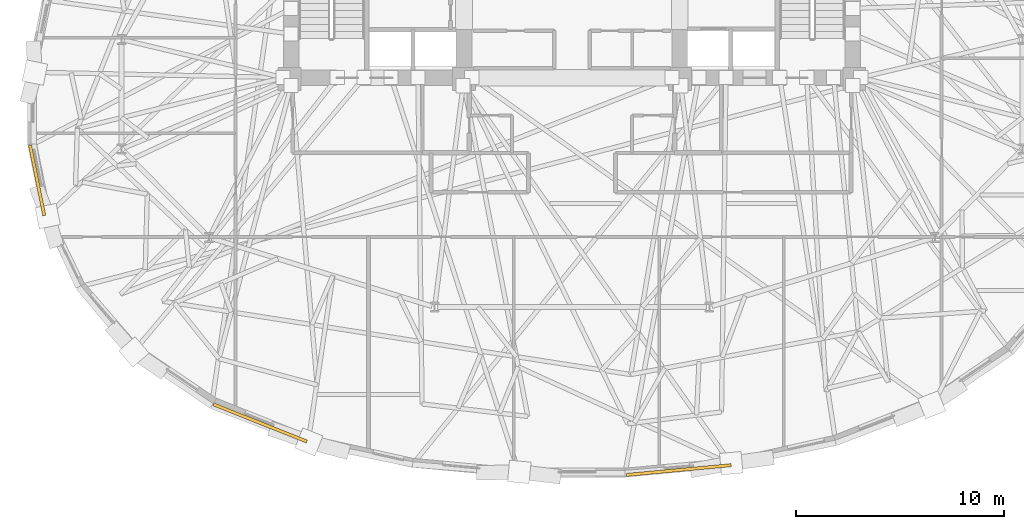
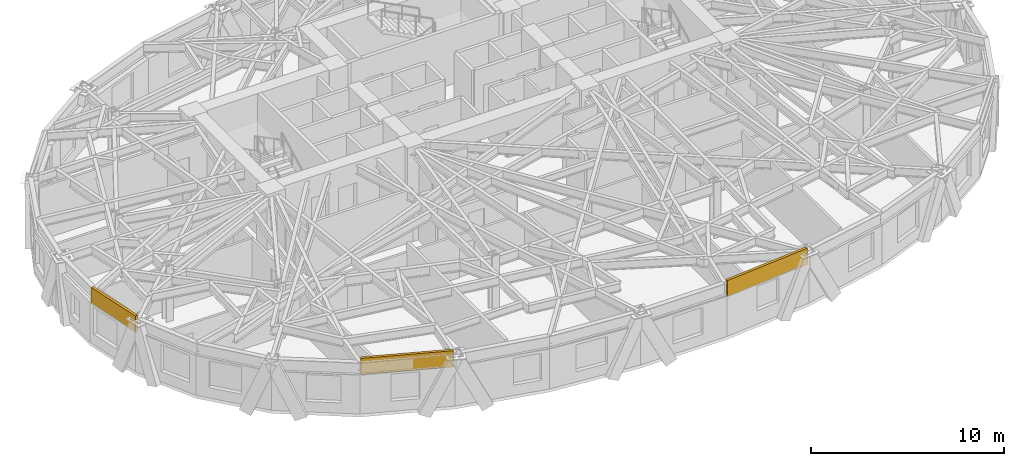
# One storey, part 11 of 14: 3 coverings.
"""IFC4 building model written with IfcOpenShell, lengths in metres."""

from ifc_helpers import new_model, si_unit, direction, frame, origin, origin_2d, place, context, subcontext, project, spatial, rectangle, extrude, material, layer, layer_set, type_object, element, save


model = new_model("IFC4")

# Units and contexts
model_context = context("Model", 3, precision=1e-05, world=origin(), true_north=direction((0.0, 1.0)))
body_context = subcontext(model_context, "Body", "Model", "MODEL_VIEW")
ifc_project = project(units=[si_unit("LENGTHUNIT", "METRE"), si_unit("AREAUNIT", "SQUARE_METRE"), si_unit("VOLUMEUNIT", "CUBIC_METRE"), si_unit("PLANEANGLEUNIT", "RADIAN"), si_unit("MASSUNIT", "GRAM", prefix="KILO")], contexts=[model_context])

# Site, building, storey
site_placement = place(None, origin())
site = spatial("IfcSite", under=ifc_project, at=site_placement, CompositionType="ELEMENT")
building_placement = place(site_placement, origin())
building = spatial("IfcBuilding", under=site, at=building_placement, Name="Keldmark Tower", CompositionType="ELEMENT")
storey_placement = place(building_placement, frame((0.0, 0.0, 121.10009765625)))
storey = spatial("IfcBuildingStorey", under=building, at=storey_placement, Name="L32", CompositionType="ELEMENT", Elevation=121.10009765625)

# Coverings
ifc_material = material(Name="Honed Kasota Buff Dolomitic Limestone", Category="masonry")
ifc_layer = layer(ifc_material, 0.074951171875)
ifc_layer_set = layer_set([ifc_layer], Name="Honed Kasota Buff Dolomitic Limestone")
covering_type = type_object("IfcCoveringType", Name="Kasota Buff Limestone Spandrel Cladding Band", PredefinedType="CLADDING", material=ifc_layer_set)
covering_1_placement = place(storey_placement, frame((-25.760986328125, -3.477294921875, 2.45166015625), z_axis=(0.0, 0.0, 1.0), x_axis=(0.198769295319, -0.980046308721, 0.0)))
element("IfcCovering", 1, at=covering_1_placement, inside=storey, type_object=covering_type, Name="L32 Kasota Limestone Spandrel Band 17", PredefinedType="CLADDING", context=body_context, shape_type="SweptSolid", body=[
    extrude(rectangle(XDim=3.447509765625, YDim=0.14990234375, at=origin_2d()), origin(), (0.0, 0.0, 1.0), 1.028076171875),
])
covering_2_placement = place(storey_placement, frame((-15.02001953125, -15.16064453125, 2.45166015625), z_axis=(0.0, 0.0, 1.0), x_axis=(0.92909384665, -0.369844053782, 0.0)))
element("IfcCovering", 2, at=covering_2_placement, inside=storey, type_object=covering_type, Name="L32 Kasota Limestone Spandrel Band 21", PredefinedType="CLADDING", context=body_context, shape_type="SweptSolid", body=[
    extrude(rectangle(XDim=4.84033203125, YDim=0.14990234375, at=origin_2d()), origin(), (0.0, 0.0, 1.0), 1.028076171875),
])
covering_3_placement = place(storey_placement, frame((5.15087890625, -17.428955078125, 2.45166015625), z_axis=(0.0, 0.0, 1.0), x_axis=(0.995681059014, 0.092839801383, 0.0)))
element("IfcCovering", 3, at=covering_3_placement, inside=storey, type_object=covering_type, Name="L32 Kasota Limestone Spandrel Band 25", PredefinedType="CLADDING", context=body_context, shape_type="SweptSolid", body=[
    extrude(rectangle(XDim=5.059326171875, YDim=0.14990234375, at=origin_2d()), origin(), (0.0, 0.0, 1.0), 1.028076171875),
])

save(model, "model.ifc")
